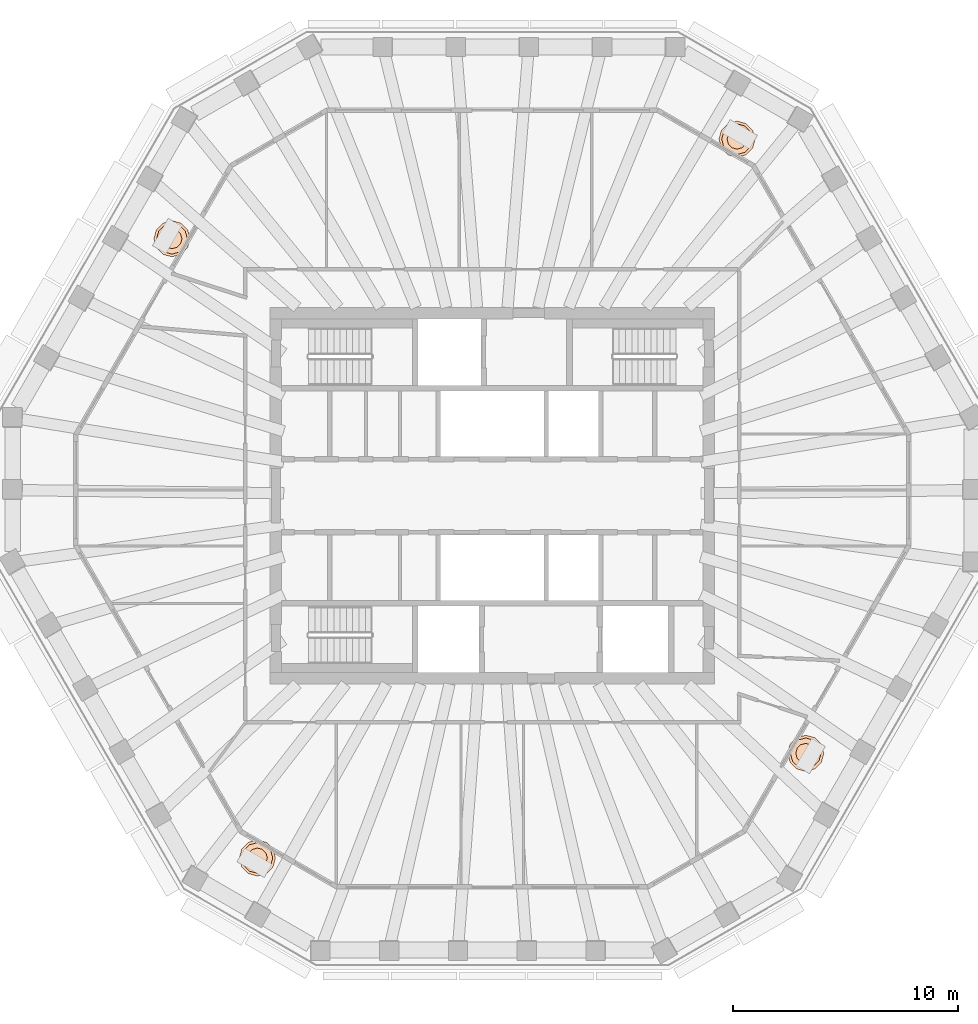
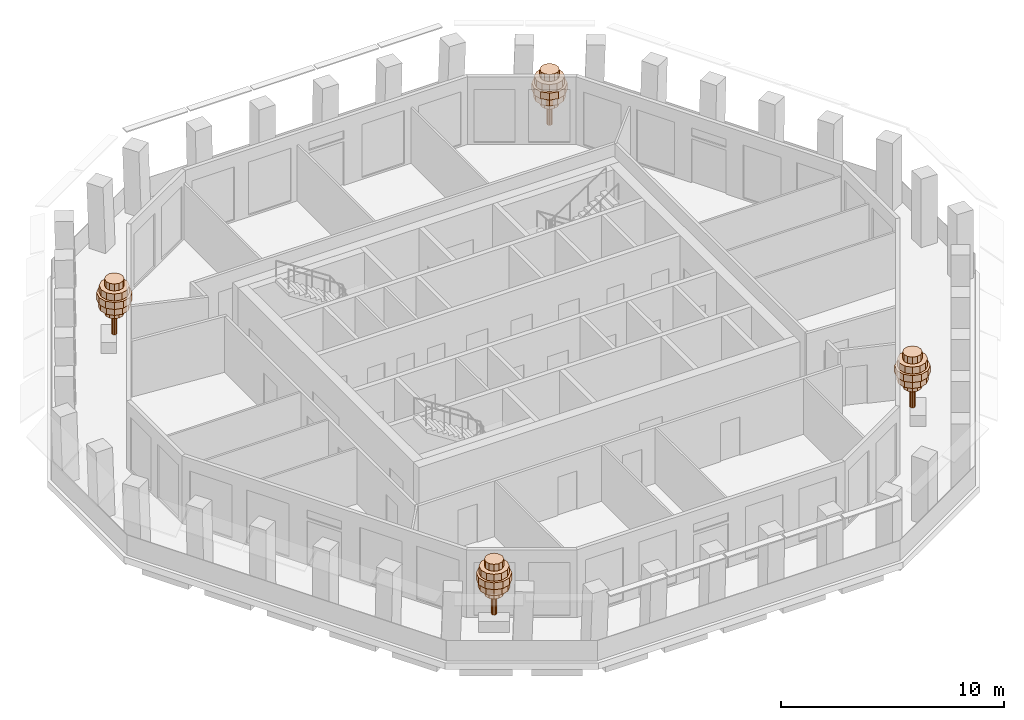
# One storey, part 11 of 11: 4 geographic elements.
"""IFC4 building model written with IfcOpenShell, lengths in metres."""

from ifc_helpers import new_model, si_unit, direction, frame, origin, place, context, subcontext, project, spatial, polyline, outline, extrude, material, type_object, element, save


model = new_model("IFC4")

# Units and contexts
model_context = context("Model", 3, precision=1e-05, world=origin(), true_north=direction((0.0, 1.0)))
body_context = subcontext(model_context, "Body", "Model", "MODEL_VIEW")
ifc_project = project(units=[si_unit("LENGTHUNIT", "METRE"), si_unit("AREAUNIT", "SQUARE_METRE"), si_unit("VOLUMEUNIT", "CUBIC_METRE"), si_unit("PLANEANGLEUNIT", "RADIAN"), si_unit("MASSUNIT", "GRAM", prefix="KILO")], contexts=[model_context])

# Site, building, storey
site_placement = place(None, origin())
site = spatial("IfcSite", under=ifc_project, at=site_placement, CompositionType="ELEMENT")
building_placement = place(site_placement, origin())
building = spatial("IfcBuilding", under=site, at=building_placement, Name="Frailejon Research Tower", CompositionType="ELEMENT")
storey_placement = place(building_placement, frame((0.0, 0.0, 316.60009765625)))
storey = spatial("IfcBuildingStorey", under=building, at=storey_placement, Name="L70", CompositionType="ELEMENT", Elevation=316.60009765625)

# Geographic elements
ifc_material = material(Name="Foliage, green")
geographic_element_type = type_object("IfcGeographicElementType", Name="Frailejon tree, loggia", PredefinedType="USERDEFINED", material=ifc_material)
geographic_element_1_placement = place(storey_placement, frame((10.85400390625, 15.814453125, 0.599853515625)))
element("IfcGeographicElement", 1, at=geographic_element_1_placement, inside=storey, type_object=geographic_element_type, Name="Tree L70", ObjectType="TREE", PredefinedType="USERDEFINED", context=body_context, shape_type="SweptSolid", body=[
    extrude(outline(polyline([(0.1298828125, 0.0), (0.112548828125, 0.06494140625), (0.06494140625, 0.112548828125), (0.0, 0.1298828125), (-0.06494140625, 0.112548828125), (-0.112548828125, 0.06494140625), (-0.1298828125, 0.0), (-0.112548828125, -0.06494140625), (-0.06494140625, -0.112548828125), (0.0, -0.1298828125), (0.06494140625, -0.112548828125), (0.112548828125, -0.06494140625), (0.1298828125, 0.0)])), origin(), (0.0, 0.0, 1.0), 2.239990234375),
    extrude(outline(polyline([(0.43994140625, 0.0), (0.381103515625, 0.219970703125), (0.219970703125, 0.381103515625), (0.0, 0.43994140625), (-0.219970703125, 0.381103515625), (-0.381103515625, 0.219970703125), (-0.43994140625, 0.0), (-0.381103515625, -0.219970703125), (-0.219970703125, -0.381103515625), (0.0, -0.43994140625), (0.219970703125, -0.381103515625), (0.381103515625, -0.219970703125), (0.43994140625, 0.0)])), frame((0.0, 0.0, 1.10009765625)), (0.0, 0.0, 1.0), 0.3798828125),
    extrude(outline(polyline([(0.719970703125, 0.0), (0.62353515625, 0.360107421875), (0.360107421875, 0.62353515625), (0.0, 0.719970703125), (-0.360107421875, 0.62353515625), (-0.62353515625, 0.360107421875), (-0.719970703125, 0.0), (-0.62353515625, -0.360107421875), (-0.360107421875, -0.62353515625), (0.0, -0.719970703125), (0.360107421875, -0.62353515625), (0.62353515625, -0.360107421875), (0.719970703125, 0.0)])), frame((0.0, 0.0, 1.47998046875)), (0.0, 0.0, 1.0), 0.3798828125),
    extrude(outline(polyline([(0.800048828125, 0.0), (0.69287109375, 0.39990234375), (0.39990234375, 0.69287109375), (0.0, 0.800048828125), (-0.39990234375, 0.69287109375), (-0.69287109375, 0.39990234375), (-0.800048828125, 0.0), (-0.69287109375, -0.39990234375), (-0.39990234375, -0.69287109375), (0.0, -0.800048828125), (0.39990234375, -0.69287109375), (0.69287109375, -0.39990234375), (0.800048828125, 0.0)])), frame((0.0, 0.0, 1.860107421875)), (0.0, 0.0, 1.0), 0.3798828125),
    extrude(outline(polyline([(0.679931640625, 0.0), (0.5888671875, 0.340087890625), (0.340087890625, 0.5888671875), (0.0, 0.679931640625), (-0.340087890625, 0.5888671875), (-0.5888671875, 0.340087890625), (-0.679931640625, 0.0), (-0.5888671875, -0.340087890625), (-0.340087890625, -0.5888671875), (0.0, -0.679931640625), (0.340087890625, -0.5888671875), (0.5888671875, -0.340087890625), (0.679931640625, 0.0)])), frame((0.0, 0.0, 2.239990234375)), (0.0, 0.0, 1.0), 0.3798828125),
    extrude(outline(polyline([(0.43994140625, 0.0), (0.381103515625, 0.219970703125), (0.219970703125, 0.381103515625), (0.0, 0.43994140625), (-0.219970703125, 0.381103515625), (-0.381103515625, 0.219970703125), (-0.43994140625, 0.0), (-0.381103515625, -0.219970703125), (-0.219970703125, -0.381103515625), (0.0, -0.43994140625), (0.219970703125, -0.381103515625), (0.381103515625, -0.219970703125), (0.43994140625, 0.0)])), frame((0.0, 0.0, 2.6201171875)), (0.0, 0.0, 1.0), 0.3798828125),
])
geographic_element_2_placement = place(storey_placement, frame((-14.2060546875, 11.3974609375, 0.599853515625)))
element("IfcGeographicElement", 2, at=geographic_element_2_placement, inside=storey, type_object=geographic_element_type, Name="Tree L70", ObjectType="TREE", PredefinedType="USERDEFINED", context=body_context, shape_type="SweptSolid", body=[
    extrude(outline(polyline([(0.1298828125, 0.0), (0.112548828125, 0.06494140625), (0.06494140625, 0.112548828125), (0.0, 0.1298828125), (-0.06494140625, 0.112548828125), (-0.112548828125, 0.06494140625), (-0.1298828125, 0.0), (-0.112548828125, -0.06494140625), (-0.06494140625, -0.112548828125), (0.0, -0.1298828125), (0.06494140625, -0.112548828125), (0.112548828125, -0.06494140625), (0.1298828125, 0.0)])), origin(), (0.0, 0.0, 1.0), 2.239990234375),
    extrude(outline(polyline([(0.43994140625, 0.0), (0.381103515625, 0.219970703125), (0.219970703125, 0.381103515625), (0.0, 0.43994140625), (-0.219970703125, 0.381103515625), (-0.381103515625, 0.219970703125), (-0.43994140625, 0.0), (-0.381103515625, -0.219970703125), (-0.219970703125, -0.381103515625), (0.0, -0.43994140625), (0.219970703125, -0.381103515625), (0.381103515625, -0.219970703125), (0.43994140625, 0.0)])), frame((0.0, 0.0, 1.10009765625)), (0.0, 0.0, 1.0), 0.3798828125),
    extrude(outline(polyline([(0.719970703125, 0.0), (0.62353515625, 0.360107421875), (0.360107421875, 0.62353515625), (0.0, 0.719970703125), (-0.360107421875, 0.62353515625), (-0.62353515625, 0.360107421875), (-0.719970703125, 0.0), (-0.62353515625, -0.360107421875), (-0.360107421875, -0.62353515625), (0.0, -0.719970703125), (0.360107421875, -0.62353515625), (0.62353515625, -0.360107421875), (0.719970703125, 0.0)])), frame((0.0, 0.0, 1.47998046875)), (0.0, 0.0, 1.0), 0.3798828125),
    extrude(outline(polyline([(0.800048828125, 0.0), (0.69287109375, 0.39990234375), (0.39990234375, 0.69287109375), (0.0, 0.800048828125), (-0.39990234375, 0.69287109375), (-0.69287109375, 0.39990234375), (-0.800048828125, 0.0), (-0.69287109375, -0.39990234375), (-0.39990234375, -0.69287109375), (0.0, -0.800048828125), (0.39990234375, -0.69287109375), (0.69287109375, -0.39990234375), (0.800048828125, 0.0)])), frame((0.0, 0.0, 1.860107421875)), (0.0, 0.0, 1.0), 0.3798828125),
    extrude(outline(polyline([(0.679931640625, 0.0), (0.5888671875, 0.340087890625), (0.340087890625, 0.5888671875), (0.0, 0.679931640625), (-0.340087890625, 0.5888671875), (-0.5888671875, 0.340087890625), (-0.679931640625, 0.0), (-0.5888671875, -0.340087890625), (-0.340087890625, -0.5888671875), (0.0, -0.679931640625), (0.340087890625, -0.5888671875), (0.5888671875, -0.340087890625), (0.679931640625, 0.0)])), frame((0.0, 0.0, 2.239990234375)), (0.0, 0.0, 1.0), 0.3798828125),
    extrude(outline(polyline([(0.43994140625, 0.0), (0.381103515625, 0.219970703125), (0.219970703125, 0.381103515625), (0.0, 0.43994140625), (-0.219970703125, 0.381103515625), (-0.381103515625, 0.219970703125), (-0.43994140625, 0.0), (-0.381103515625, -0.219970703125), (-0.219970703125, -0.381103515625), (0.0, -0.43994140625), (0.219970703125, -0.381103515625), (0.381103515625, -0.219970703125), (0.43994140625, 0.0)])), frame((0.0, 0.0, 2.6201171875)), (0.0, 0.0, 1.0), 0.3798828125),
])
geographic_element_3_placement = place(storey_placement, frame((-10.418701171875, -16.06591796875, 0.599853515625)))
element("IfcGeographicElement", 3, at=geographic_element_3_placement, inside=storey, type_object=geographic_element_type, Name="Tree L70", ObjectType="TREE", PredefinedType="USERDEFINED", context=body_context, shape_type="SweptSolid", body=[
    extrude(outline(polyline([(0.1298828125, 0.0), (0.112548828125, 0.06494140625), (0.06494140625, 0.112548828125), (0.0, 0.1298828125), (-0.06494140625, 0.112548828125), (-0.112548828125, 0.06494140625), (-0.1298828125, 0.0), (-0.112548828125, -0.06494140625), (-0.06494140625, -0.112548828125), (0.0, -0.1298828125), (0.06494140625, -0.112548828125), (0.112548828125, -0.06494140625), (0.1298828125, 0.0)])), origin(), (0.0, 0.0, 1.0), 2.239990234375),
    extrude(outline(polyline([(0.43994140625, 0.0), (0.381103515625, 0.219970703125), (0.219970703125, 0.381103515625), (0.0, 0.43994140625), (-0.219970703125, 0.381103515625), (-0.381103515625, 0.219970703125), (-0.43994140625, 0.0), (-0.381103515625, -0.219970703125), (-0.219970703125, -0.381103515625), (0.0, -0.43994140625), (0.219970703125, -0.381103515625), (0.381103515625, -0.219970703125), (0.43994140625, 0.0)])), frame((0.0, 0.0, 1.10009765625)), (0.0, 0.0, 1.0), 0.3798828125),
    extrude(outline(polyline([(0.719970703125, 0.0), (0.62353515625, 0.360107421875), (0.360107421875, 0.62353515625), (0.0, 0.719970703125), (-0.360107421875, 0.62353515625), (-0.62353515625, 0.360107421875), (-0.719970703125, 0.0), (-0.62353515625, -0.360107421875), (-0.360107421875, -0.62353515625), (0.0, -0.719970703125), (0.360107421875, -0.62353515625), (0.62353515625, -0.360107421875), (0.719970703125, 0.0)])), frame((0.0, 0.0, 1.47998046875)), (0.0, 0.0, 1.0), 0.3798828125),
    extrude(outline(polyline([(0.800048828125, 0.0), (0.69287109375, 0.39990234375), (0.39990234375, 0.69287109375), (0.0, 0.800048828125), (-0.39990234375, 0.69287109375), (-0.69287109375, 0.39990234375), (-0.800048828125, 0.0), (-0.69287109375, -0.39990234375), (-0.39990234375, -0.69287109375), (0.0, -0.800048828125), (0.39990234375, -0.69287109375), (0.69287109375, -0.39990234375), (0.800048828125, 0.0)])), frame((0.0, 0.0, 1.860107421875)), (0.0, 0.0, 1.0), 0.3798828125),
    extrude(outline(polyline([(0.679931640625, 0.0), (0.5888671875, 0.340087890625), (0.340087890625, 0.5888671875), (0.0, 0.679931640625), (-0.340087890625, 0.5888671875), (-0.5888671875, 0.340087890625), (-0.679931640625, 0.0), (-0.5888671875, -0.340087890625), (-0.340087890625, -0.5888671875), (0.0, -0.679931640625), (0.340087890625, -0.5888671875), (0.5888671875, -0.340087890625), (0.679931640625, 0.0)])), frame((0.0, 0.0, 2.239990234375)), (0.0, 0.0, 1.0), 0.3798828125),
    extrude(outline(polyline([(0.43994140625, 0.0), (0.381103515625, 0.219970703125), (0.219970703125, 0.381103515625), (0.0, 0.43994140625), (-0.219970703125, 0.381103515625), (-0.381103515625, 0.219970703125), (-0.43994140625, 0.0), (-0.381103515625, -0.219970703125), (-0.219970703125, -0.381103515625), (0.0, -0.43994140625), (0.219970703125, -0.381103515625), (0.381103515625, -0.219970703125), (0.43994140625, 0.0)])), frame((0.0, 0.0, 2.6201171875)), (0.0, 0.0, 1.0), 0.3798828125),
])
geographic_element_4_placement = place(storey_placement, frame((13.901123046875, -11.422607421875, 0.599853515625)))
element("IfcGeographicElement", 4, at=geographic_element_4_placement, inside=storey, type_object=geographic_element_type, Name="Tree L70", ObjectType="TREE", PredefinedType="USERDEFINED", context=body_context, shape_type="SweptSolid", body=[
    extrude(outline(polyline([(0.1298828125, 0.0), (0.112548828125, 0.06494140625), (0.06494140625, 0.112548828125), (0.0, 0.1298828125), (-0.06494140625, 0.112548828125), (-0.112548828125, 0.06494140625), (-0.1298828125, 0.0), (-0.112548828125, -0.06494140625), (-0.06494140625, -0.112548828125), (0.0, -0.1298828125), (0.06494140625, -0.112548828125), (0.112548828125, -0.06494140625), (0.1298828125, 0.0)])), origin(), (0.0, 0.0, 1.0), 2.239990234375),
    extrude(outline(polyline([(0.43994140625, 0.0), (0.381103515625, 0.219970703125), (0.219970703125, 0.381103515625), (0.0, 0.43994140625), (-0.219970703125, 0.381103515625), (-0.381103515625, 0.219970703125), (-0.43994140625, 0.0), (-0.381103515625, -0.219970703125), (-0.219970703125, -0.381103515625), (0.0, -0.43994140625), (0.219970703125, -0.381103515625), (0.381103515625, -0.219970703125), (0.43994140625, 0.0)])), frame((0.0, 0.0, 1.10009765625)), (0.0, 0.0, 1.0), 0.3798828125),
    extrude(outline(polyline([(0.719970703125, 0.0), (0.62353515625, 0.360107421875), (0.360107421875, 0.62353515625), (0.0, 0.719970703125), (-0.360107421875, 0.62353515625), (-0.62353515625, 0.360107421875), (-0.719970703125, 0.0), (-0.62353515625, -0.360107421875), (-0.360107421875, -0.62353515625), (0.0, -0.719970703125), (0.360107421875, -0.62353515625), (0.62353515625, -0.360107421875), (0.719970703125, 0.0)])), frame((0.0, 0.0, 1.47998046875)), (0.0, 0.0, 1.0), 0.3798828125),
    extrude(outline(polyline([(0.800048828125, 0.0), (0.69287109375, 0.39990234375), (0.39990234375, 0.69287109375), (0.0, 0.800048828125), (-0.39990234375, 0.69287109375), (-0.69287109375, 0.39990234375), (-0.800048828125, 0.0), (-0.69287109375, -0.39990234375), (-0.39990234375, -0.69287109375), (0.0, -0.800048828125), (0.39990234375, -0.69287109375), (0.69287109375, -0.39990234375), (0.800048828125, 0.0)])), frame((0.0, 0.0, 1.860107421875)), (0.0, 0.0, 1.0), 0.3798828125),
    extrude(outline(polyline([(0.679931640625, 0.0), (0.5888671875, 0.340087890625), (0.340087890625, 0.5888671875), (0.0, 0.679931640625), (-0.340087890625, 0.5888671875), (-0.5888671875, 0.340087890625), (-0.679931640625, 0.0), (-0.5888671875, -0.340087890625), (-0.340087890625, -0.5888671875), (0.0, -0.679931640625), (0.340087890625, -0.5888671875), (0.5888671875, -0.340087890625), (0.679931640625, 0.0)])), frame((0.0, 0.0, 2.239990234375)), (0.0, 0.0, 1.0), 0.3798828125),
    extrude(outline(polyline([(0.43994140625, 0.0), (0.381103515625, 0.219970703125), (0.219970703125, 0.381103515625), (0.0, 0.43994140625), (-0.219970703125, 0.381103515625), (-0.381103515625, 0.219970703125), (-0.43994140625, 0.0), (-0.381103515625, -0.219970703125), (-0.219970703125, -0.381103515625), (0.0, -0.43994140625), (0.219970703125, -0.381103515625), (0.381103515625, -0.219970703125), (0.43994140625, 0.0)])), frame((0.0, 0.0, 2.6201171875)), (0.0, 0.0, 1.0), 0.3798828125),
])

save(model, "model.ifc")
